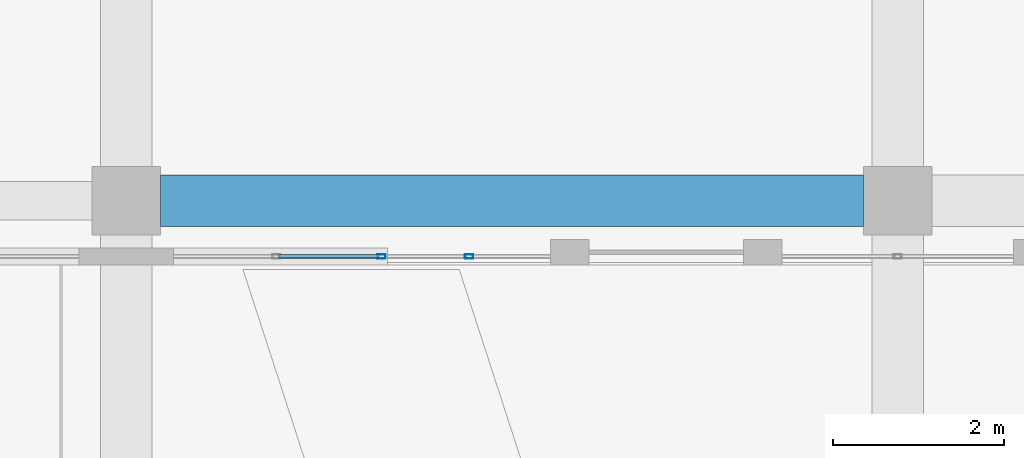
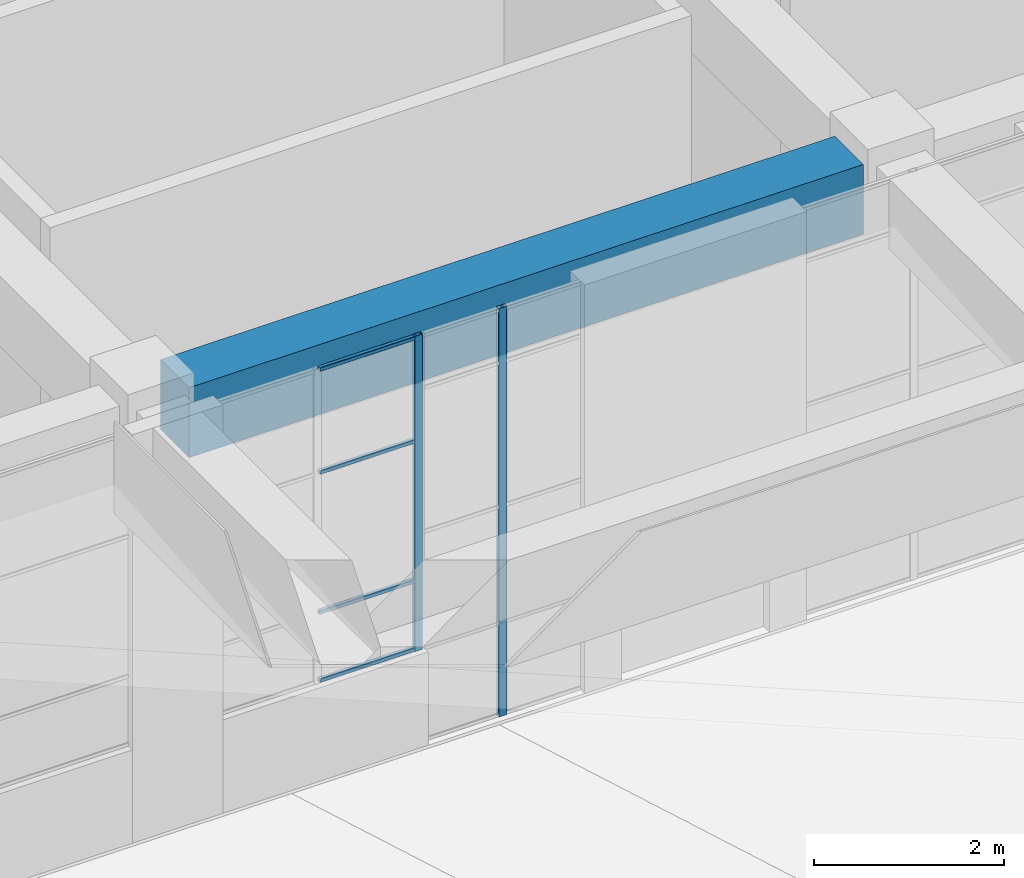
# One storey, part 18 of 72: 6 members, 1 beam, 2 elements without a shape of their own.
"""IFC4 building model written with IfcOpenShell, lengths in metres."""

from ifc_helpers import new_model, si_unit, direction, frame, origin, origin_2d, place, context, subcontext, project, spatial, rectangle, hollow_rectangle, extrude, material, layer, layer_set, material_profile, profile_set, type_object, element, aggregate, save


model = new_model("IFC4")

# Units and contexts
model_context = context("Model", 3, precision=1e-05, world=origin(), true_north=direction((0.0, 1.0)))
body_context = subcontext(model_context, "Body", "Model", "MODEL_VIEW")
ifc_project = project(units=[si_unit("LENGTHUNIT", "METRE"), si_unit("AREAUNIT", "SQUARE_METRE"), si_unit("VOLUMEUNIT", "CUBIC_METRE"), si_unit("PLANEANGLEUNIT", "RADIAN"), si_unit("MASSUNIT", "GRAM", prefix="KILO")], contexts=[model_context])

# Site, building, storey
site_placement = place(None, origin())
site = spatial("IfcSite", under=ifc_project, at=site_placement, CompositionType="ELEMENT")
building_placement = place(site_placement, origin())
building = spatial("IfcBuilding", under=site, at=building_placement, Name="Tuart Plaza Theatre", CompositionType="ELEMENT")
storey_placement = place(building_placement, origin())
storey = spatial("IfcBuildingStorey", under=building, at=storey_placement, Name="L00", CompositionType="ELEMENT", Elevation=0.0)

# Beam
ifc_material_1 = material(Name="Concrete N40 (40 MPa)", Category="concrete")
ifc_material_profile_1 = material_profile(ifc_material_1, rectangle(XDim=0.60009765625, YDim=0.89990234375, at=origin_2d()), Name="BEAM 600x900 Concrete N40 (40 MPa)")
ifc_profile_set_1 = profile_set([ifc_material_profile_1], Name="Concrete N40 (40 MPa)")
beam_type = type_object("IfcBeamType", Name="BEAM 600x900 Concrete N40 (40 MPa)", PredefinedType="BEAM", material=ifc_profile_set_1)
beam_placement = place(storey_placement, frame((123.39990234375, 56.0, 4.800048828125), z_axis=(1.0, 0.0, 0.0), x_axis=(0.0, 1.0, 0.0)))
element("IfcBeam", 1, at=beam_placement, inside=storey, type_object=beam_type, Name="RB136", PredefinedType="BEAM", context=body_context, shape_type="SweptSolid", body=[
    extrude(rectangle(XDim=0.60009765625, YDim=0.89990234375, at=origin_2d()), origin(), (0.0, 0.0, 1.0), 8.2001953125),
])

# Curtain wall, member
ifc_material_2 = material(Name="Aluminium and glass", Category="aluminium")
ifc_layer_1 = layer(ifc_material_2, 0.10009765625)
ifc_layer_set_1 = layer_set([ifc_layer_1], Name="CURTAIN WALL 1250 module")
curtain_wall_type_1 = type_object("IfcCurtainWallType", Name="CURTAIN WALL 1250 module", PredefinedType="NOTDEFINED", material=ifc_layer_set_1)
curtain_wall_1_placement = place(storey_placement, origin())
curtain_wall_1 = element("IfcCurtainWall", 2, at=curtain_wall_1_placement, inside=storey, type_object=curtain_wall_type_1, Name="CW61", PredefinedType="NOTDEFINED")
ifc_material_3 = material(Name="Aluminium 6063-T5", Category="aluminium")
ifc_material_profile_2 = material_profile(ifc_material_3, hollow_rectangle(XDim=0.050048828125, YDim=0.10009765625, WallThickness=0.00390625, InnerFilletRadius=0.00390625, OuterFilletRadius=0.008056640625, at=origin_2d()), Name="RHS 100x50x4")
ifc_profile_set_2 = profile_set([ifc_material_profile_2], Name="Aluminium 6063-T5")
member_type_1 = type_object("IfcMemberType", Name="MULLION RHS 100x50x4", PredefinedType="MULLION", material=ifc_profile_set_2)
member_1_placement = place(storey_placement, frame((125.97509765625, 55.35009765625, 1.199951171875), z_axis=(0.0, 0.0, 1.0), x_axis=(0.0, 1.0, 0.0)))
member_1 = element("IfcMember", 3, at=member_1_placement, type_object=member_type_1, Name="CW61 mullion 3", PredefinedType="MULLION", context=body_context, shape_type="SweptSolid", body=[
    extrude(hollow_rectangle(XDim=0.050048828125, YDim=0.10009765625, WallThickness=0.00390625, InnerFilletRadius=0.00390625, OuterFilletRadius=0.008056640625, at=origin_2d()), origin(), (0.0, 0.0, 1.0), 4.050048828125),
])

ifc_material_4 = material(Name="Aluminium and glass", Category="aluminium")
ifc_layer_2 = layer(ifc_material_4, 0.10009765625)
ifc_layer_set_2 = layer_set([ifc_layer_2], Name="CURTAIN WALL 1000 module")
curtain_wall_type_2 = type_object("IfcCurtainWallType", Name="CURTAIN WALL 1000 module", PredefinedType="NOTDEFINED", material=ifc_layer_set_2)
curtain_wall_2_placement = place(storey_placement, origin())
curtain_wall_2 = element("IfcCurtainWall", 4, at=curtain_wall_2_placement, inside=storey, type_object=curtain_wall_type_2, Name="CW62", PredefinedType="NOTDEFINED")
member_2_placement = place(storey_placement, frame((127.0, 55.35009765625, 0.0), z_axis=(0.0, 0.0, 1.0), x_axis=(0.0, 1.0, 0.0)))
member_2 = element("IfcMember", 5, at=member_2_placement, type_object=member_type_1, Name="CW62 mullion 2", PredefinedType="MULLION", context=body_context, shape_type="SweptSolid", body=[
    extrude(hollow_rectangle(XDim=0.050048828125, YDim=0.10009765625, WallThickness=0.00390625, InnerFilletRadius=0.00390625, OuterFilletRadius=0.008056640625, at=origin_2d()), origin(), (0.0, 0.0, 1.0), 5.25),
])
aggregate(curtain_wall_2, [member_2])

# Member
ifc_material_5 = material(Name="Aluminium 6063-T5", Category="aluminium")
ifc_material_profile_3 = material_profile(ifc_material_5, hollow_rectangle(XDim=0.050048828125, YDim=0.050048828125, WallThickness=0.00390625, InnerFilletRadius=0.00390625, OuterFilletRadius=0.008056640625, at=origin_2d()), Name="RHS 50x50x4")
ifc_profile_set_3 = profile_set([ifc_material_profile_3], Name="Aluminium 6063-T5")
member_type_2 = type_object("IfcMemberType", Name="TRANSOM RHS 50x50x4", PredefinedType="USERDEFINED", material=ifc_profile_set_3)
member_3_placement = place(storey_placement, frame((124.77490234375, 55.35009765625, 1.22509765625), z_axis=(1.0, 0.0, 0.0), x_axis=(0.0, 1.0, 0.0)))
member_3 = element("IfcMember", 6, at=member_3_placement, type_object=member_type_2, Name="CW61 transom 2.1", ObjectType="TRANSOM", PredefinedType="USERDEFINED", context=body_context, shape_type="SweptSolid", body=[
    extrude(hollow_rectangle(XDim=0.050048828125, YDim=0.050048828125, WallThickness=0.00390625, InnerFilletRadius=0.00390625, OuterFilletRadius=0.008056640625, at=origin_2d()), origin(), (0.0, 0.0, 1.0), 1.175048828125),
])

member_4_placement = place(storey_placement, frame((124.77490234375, 55.35009765625, 2.10009765625), z_axis=(1.0, 0.0, 0.0), x_axis=(0.0, 1.0, 0.0)))
member_4 = element("IfcMember", 7, at=member_4_placement, type_object=member_type_2, Name="CW61 transom 2.2", ObjectType="TRANSOM", PredefinedType="USERDEFINED", context=body_context, shape_type="SweptSolid", body=[
    extrude(hollow_rectangle(XDim=0.050048828125, YDim=0.050048828125, WallThickness=0.00390625, InnerFilletRadius=0.00390625, OuterFilletRadius=0.008056640625, at=origin_2d()), origin(), (0.0, 0.0, 1.0), 1.175048828125),
])

member_5_placement = place(storey_placement, frame((124.77490234375, 55.35009765625, 3.89990234375), z_axis=(1.0, 0.0, 0.0), x_axis=(0.0, 1.0, 0.0)))
member_5 = element("IfcMember", 8, at=member_5_placement, type_object=member_type_2, Name="CW61 transom 2.3", ObjectType="TRANSOM", PredefinedType="USERDEFINED", context=body_context, shape_type="SweptSolid", body=[
    extrude(hollow_rectangle(XDim=0.050048828125, YDim=0.050048828125, WallThickness=0.00390625, InnerFilletRadius=0.00390625, OuterFilletRadius=0.008056640625, at=origin_2d()), origin(), (0.0, 0.0, 1.0), 1.175048828125),
])

member_6_placement = place(storey_placement, frame((124.77490234375, 55.35009765625, 5.22509765625), z_axis=(1.0, 0.0, 0.0), x_axis=(0.0, 1.0, 0.0)))
member_6 = element("IfcMember", 9, at=member_6_placement, type_object=member_type_2, Name="CW61 transom 2.4", ObjectType="TRANSOM", PredefinedType="USERDEFINED", context=body_context, shape_type="SweptSolid", body=[
    extrude(hollow_rectangle(XDim=0.050048828125, YDim=0.050048828125, WallThickness=0.00390625, InnerFilletRadius=0.00390625, OuterFilletRadius=0.008056640625, at=origin_2d()), origin(), (0.0, 0.0, 1.0), 1.175048828125),
])

aggregate(curtain_wall_1, [member_1, member_3, member_4, member_5, member_6])

save(model, "model.ifc")
